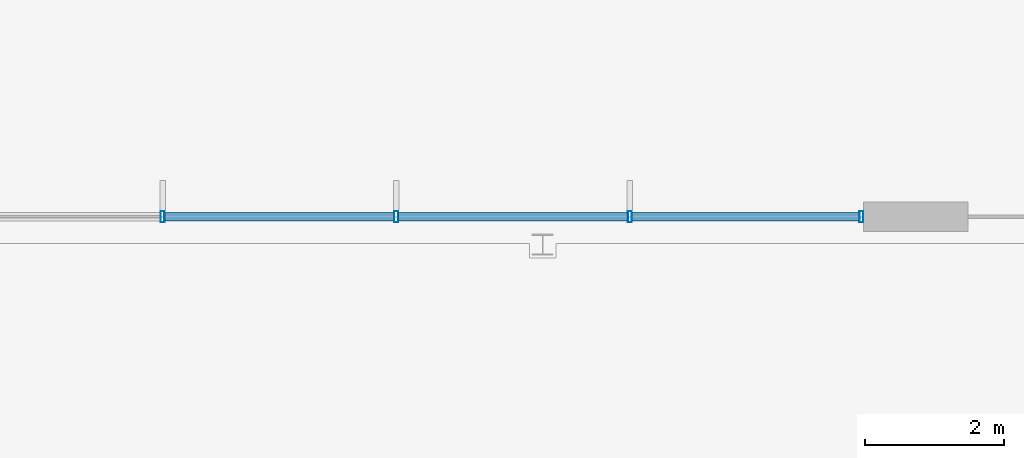
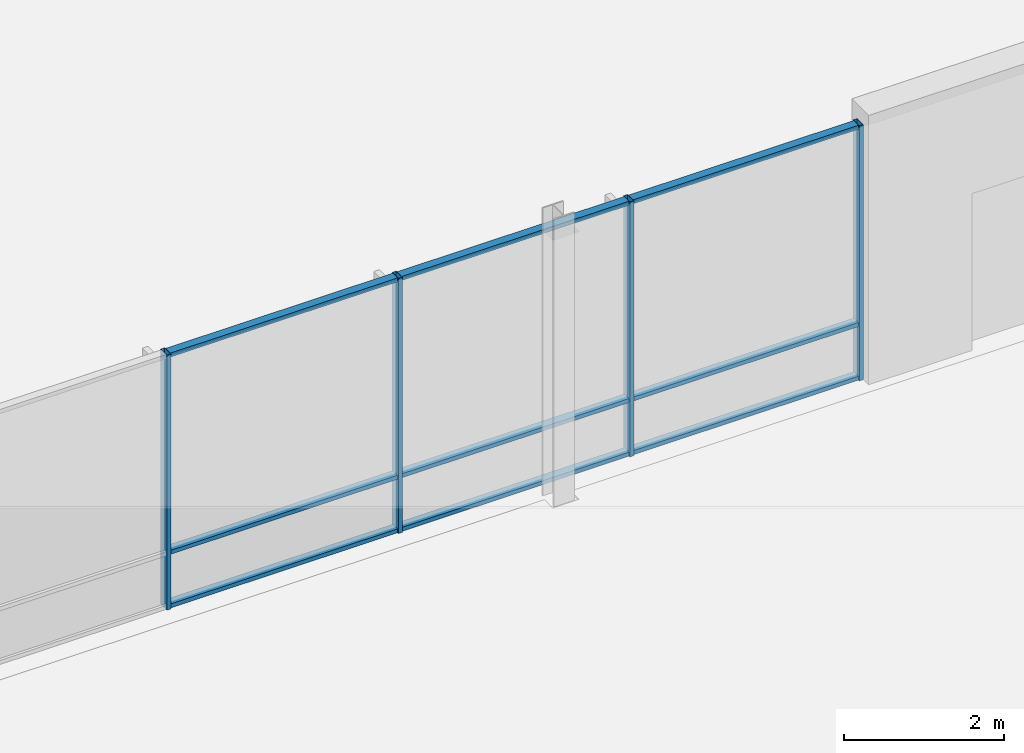
# One storey, part 71 of 233: 13 members, 1 element without a shape of its own.
"""IFC4 building model written with IfcOpenShell, lengths in metres."""

from ifc_helpers import new_model, si_unit, direction, frame, origin, origin_2d, place, context, subcontext, project, spatial, hollow_rectangle, extrude, material, material_profile, profile_set, type_object, element, aggregate, save


model = new_model("IFC4")

# Units and contexts
model_context = context("Model", 3, precision=1e-05, world=origin(), true_north=direction((0.0, 1.0)))
body_context = subcontext(model_context, "Body", "Model", "MODEL_VIEW")
ifc_project = project(units=[si_unit("LENGTHUNIT", "METRE"), si_unit("AREAUNIT", "SQUARE_METRE"), si_unit("VOLUMEUNIT", "CUBIC_METRE"), si_unit("PLANEANGLEUNIT", "RADIAN"), si_unit("MASSUNIT", "GRAM", prefix="KILO")], contexts=[model_context])

# Site, building, storey
site_placement = place(None, origin())
site = spatial("IfcSite", under=ifc_project, at=site_placement, CompositionType="ELEMENT")
building_placement = place(site_placement, origin())
building = spatial("IfcBuilding", under=site, at=building_placement, Name="Zavelmont Quarter", CompositionType="ELEMENT")
storey_placement = place(building_placement, origin())
storey = spatial("IfcBuildingStorey", under=building, at=storey_placement, Name="L00", CompositionType="ELEMENT", Elevation=0.0)

# Curtain wall, members
ifc_material_1 = material(Name="Thermally broken aluminium and double low-E safety glazing", Category="aluminium")
curtain_wall_type = type_object("IfcCurtainWallType", Name="CW-1340X390", PredefinedType="NOTDEFINED", material=ifc_material_1)
curtain_wall_placement = place(storey_placement, origin())
curtain_wall = element("IfcCurtainWall", 1, at=curtain_wall_placement, inside=storey, type_object=curtain_wall_type, Name="L00 unitised curtain wall CW-1340X390", PredefinedType="NOTDEFINED")
ifc_material_2 = material(Name="Powder-coated aluminium EN AW-6063-T6", Category="aluminium")
ifc_material_profile_1 = material_profile(ifc_material_2, hollow_rectangle(XDim=0.06005859375, YDim=0.159912109375, WallThickness=0.00390625, at=origin_2d()), Name="CWM60X160")
ifc_profile_set_1 = profile_set([ifc_material_profile_1], Name="Powder-coated aluminium EN AW-6063-T6")
member_type_1 = type_object("IfcMemberType", Name="CWM01", PredefinedType="MULLION", material=ifc_profile_set_1)
member_1_placement = place(storey_placement, frame((96.75, 14.39990234375, 0.0), z_axis=(0.0, 0.0, 1.0), x_axis=(1.0, 0.0, 0.0)))
member_1 = element("IfcMember", 2, at=member_1_placement, type_object=member_type_1, Name="CW-1340X390 mullion 2", PredefinedType="MULLION", context=body_context, shape_type="SweptSolid", body=[
    extrude(hollow_rectangle(XDim=0.06005859375, YDim=0.159912109375, WallThickness=0.00390625, at=origin_2d()), origin(), (0.0, 0.0, 1.0), 3.89990234375),
])
member_2_placement = place(storey_placement, frame((100.10009765625, 14.39990234375, 0.0), z_axis=(0.0, 0.0, 1.0), x_axis=(1.0, 0.0, 0.0)))
member_2 = element("IfcMember", 3, at=member_2_placement, type_object=member_type_1, Name="CW-1340X390 mullion 3", PredefinedType="MULLION", context=body_context, shape_type="SweptSolid", body=[
    extrude(hollow_rectangle(XDim=0.06005859375, YDim=0.159912109375, WallThickness=0.00390625, at=origin_2d()), origin(), (0.0, 0.0, 1.0), 3.89990234375),
])
member_3_placement = place(storey_placement, frame((103.449951171875, 14.39990234375, 0.0), z_axis=(0.0, 0.0, 1.0), x_axis=(1.0, 0.0, 0.0)))
member_3 = element("IfcMember", 4, at=member_3_placement, type_object=member_type_1, Name="CW-1340X390 mullion 4", PredefinedType="MULLION", context=body_context, shape_type="SweptSolid", body=[
    extrude(hollow_rectangle(XDim=0.06005859375, YDim=0.159912109375, WallThickness=0.00390625, at=origin_2d()), origin(), (0.0, 0.0, 1.0), 3.89990234375),
])
member_4_placement = place(storey_placement, frame((106.77001953125, 14.39990234375, 0.0), z_axis=(0.0, 0.0, 1.0), x_axis=(1.0, 0.0, 0.0)))
member_4 = element("IfcMember", 5, at=member_4_placement, type_object=member_type_1, Name="CW-1340X390 mullion 5", PredefinedType="MULLION", context=body_context, shape_type="SweptSolid", body=[
    extrude(hollow_rectangle(XDim=0.06005859375, YDim=0.159912109375, WallThickness=0.00390625, at=origin_2d()), origin(), (0.0, 0.0, 1.0), 3.89990234375),
])
ifc_material_profile_2 = material_profile(ifc_material_2, hollow_rectangle(XDim=0.1201171875, YDim=0.06005859375, WallThickness=0.00390625, at=origin_2d()), Name="CWT60X120")
ifc_profile_set_2 = profile_set([ifc_material_profile_2], Name="Powder-coated aluminium EN AW-6063-T6")
member_type_2 = type_object("IfcMemberType", Name="CWT01", PredefinedType="NOTDEFINED", material=ifc_profile_set_2)
member_5_placement = place(storey_placement, frame((96.780029296875, 14.39990234375, 0.030029296875), z_axis=(1.0, 0.0, 0.0), x_axis=(0.0, 1.0, 0.0)))
member_5 = element("IfcMember", 6, at=member_5_placement, type_object=member_type_2, Name="CW-1340X390 transom 2.1", ObjectType="TRANSOM", PredefinedType="USERDEFINED", context=body_context, shape_type="SweptSolid", body=[
    extrude(hollow_rectangle(XDim=0.1201171875, YDim=0.06005859375, WallThickness=0.00390625, at=origin_2d()), origin(), (0.0, 0.0, 1.0), 3.2900390625),
])
member_6_placement = place(storey_placement, frame((96.780029296875, 14.39990234375, 0.85009765625), z_axis=(1.0, 0.0, 0.0), x_axis=(0.0, 1.0, 0.0)))
member_6 = element("IfcMember", 7, at=member_6_placement, type_object=member_type_2, Name="CW-1340X390 transom 2.2", ObjectType="TRANSOM", PredefinedType="USERDEFINED", context=body_context, shape_type="SweptSolid", body=[
    extrude(hollow_rectangle(XDim=0.1201171875, YDim=0.06005859375, WallThickness=0.00390625, at=origin_2d()), origin(), (0.0, 0.0, 1.0), 3.2900390625),
])
member_7_placement = place(storey_placement, frame((96.780029296875, 14.39990234375, 3.8701171875), z_axis=(1.0, 0.0, 0.0), x_axis=(0.0, 1.0, 0.0)))
member_7 = element("IfcMember", 8, at=member_7_placement, type_object=member_type_2, Name="CW-1340X390 transom 2.3", ObjectType="TRANSOM", PredefinedType="USERDEFINED", context=body_context, shape_type="SweptSolid", body=[
    extrude(hollow_rectangle(XDim=0.1201171875, YDim=0.06005859375, WallThickness=0.00390625, at=origin_2d()), origin(), (0.0, 0.0, 1.0), 3.2900390625),
])
member_8_placement = place(storey_placement, frame((100.1298828125, 14.39990234375, 0.030029296875), z_axis=(1.0, 0.0, 0.0), x_axis=(0.0, 1.0, 0.0)))
member_8 = element("IfcMember", 9, at=member_8_placement, type_object=member_type_2, Name="CW-1340X390 transom 3.1", ObjectType="TRANSOM", PredefinedType="USERDEFINED", context=body_context, shape_type="SweptSolid", body=[
    extrude(hollow_rectangle(XDim=0.1201171875, YDim=0.06005859375, WallThickness=0.00390625, at=origin_2d()), origin(), (0.0, 0.0, 1.0), 3.2900390625),
])
member_9_placement = place(storey_placement, frame((100.1298828125, 14.39990234375, 0.85009765625), z_axis=(1.0, 0.0, 0.0), x_axis=(0.0, 1.0, 0.0)))
member_9 = element("IfcMember", 10, at=member_9_placement, type_object=member_type_2, Name="CW-1340X390 transom 3.2", ObjectType="TRANSOM", PredefinedType="USERDEFINED", context=body_context, shape_type="SweptSolid", body=[
    extrude(hollow_rectangle(XDim=0.1201171875, YDim=0.06005859375, WallThickness=0.00390625, at=origin_2d()), origin(), (0.0, 0.0, 1.0), 3.2900390625),
])
member_10_placement = place(storey_placement, frame((100.1298828125, 14.39990234375, 3.8701171875), z_axis=(1.0, 0.0, 0.0), x_axis=(0.0, 1.0, 0.0)))
member_10 = element("IfcMember", 11, at=member_10_placement, type_object=member_type_2, Name="CW-1340X390 transom 3.3", ObjectType="TRANSOM", PredefinedType="USERDEFINED", context=body_context, shape_type="SweptSolid", body=[
    extrude(hollow_rectangle(XDim=0.1201171875, YDim=0.06005859375, WallThickness=0.00390625, at=origin_2d()), origin(), (0.0, 0.0, 1.0), 3.2900390625),
])
member_11_placement = place(storey_placement, frame((103.47998046875, 14.39990234375, 0.030029296875), z_axis=(1.0, 0.0, 0.0), x_axis=(0.0, 1.0, 0.0)))
member_11 = element("IfcMember", 12, at=member_11_placement, type_object=member_type_2, Name="CW-1340X390 transom 4.1", ObjectType="TRANSOM", PredefinedType="USERDEFINED", context=body_context, shape_type="SweptSolid", body=[
    extrude(hollow_rectangle(XDim=0.1201171875, YDim=0.06005859375, WallThickness=0.00390625, at=origin_2d()), origin(), (0.0, 0.0, 1.0), 3.260009765625),
])
member_12_placement = place(storey_placement, frame((103.47998046875, 14.39990234375, 0.85009765625), z_axis=(1.0, 0.0, 0.0), x_axis=(0.0, 1.0, 0.0)))
member_12 = element("IfcMember", 13, at=member_12_placement, type_object=member_type_2, Name="CW-1340X390 transom 4.2", ObjectType="TRANSOM", PredefinedType="USERDEFINED", context=body_context, shape_type="SweptSolid", body=[
    extrude(hollow_rectangle(XDim=0.1201171875, YDim=0.06005859375, WallThickness=0.00390625, at=origin_2d()), origin(), (0.0, 0.0, 1.0), 3.260009765625),
])
member_13_placement = place(storey_placement, frame((103.47998046875, 14.39990234375, 3.8701171875), z_axis=(1.0, 0.0, 0.0), x_axis=(0.0, 1.0, 0.0)))
member_13 = element("IfcMember", 14, at=member_13_placement, type_object=member_type_2, Name="CW-1340X390 transom 4.3", ObjectType="TRANSOM", PredefinedType="USERDEFINED", context=body_context, shape_type="SweptSolid", body=[
    extrude(hollow_rectangle(XDim=0.1201171875, YDim=0.06005859375, WallThickness=0.00390625, at=origin_2d()), origin(), (0.0, 0.0, 1.0), 3.260009765625),
])
aggregate(curtain_wall, [member_1, member_2, member_3, member_4, member_5, member_6, member_7, member_8, member_9, member_10, member_11, member_12, member_13])

save(model, "model.ifc")
